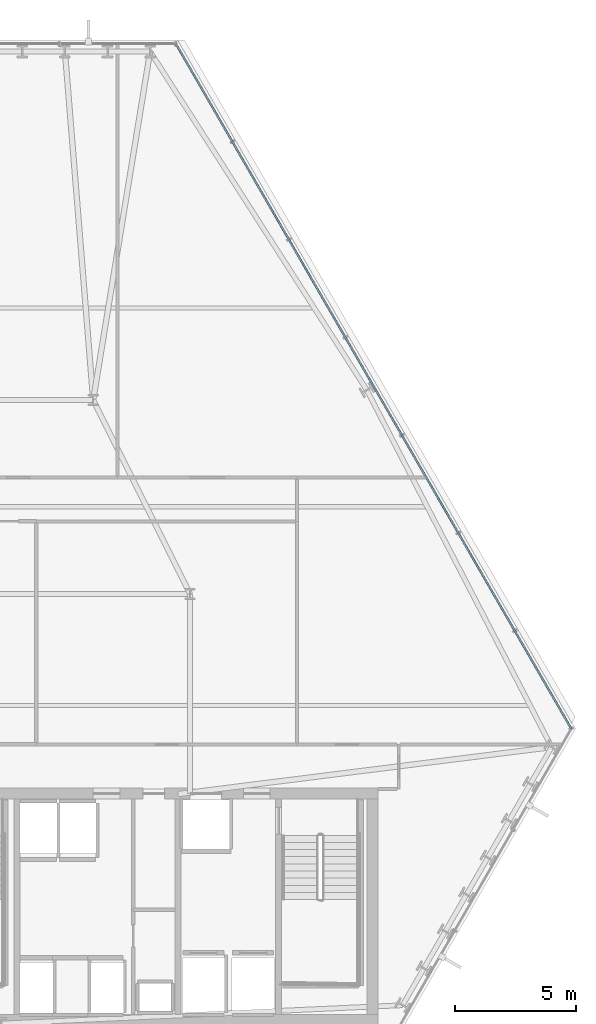
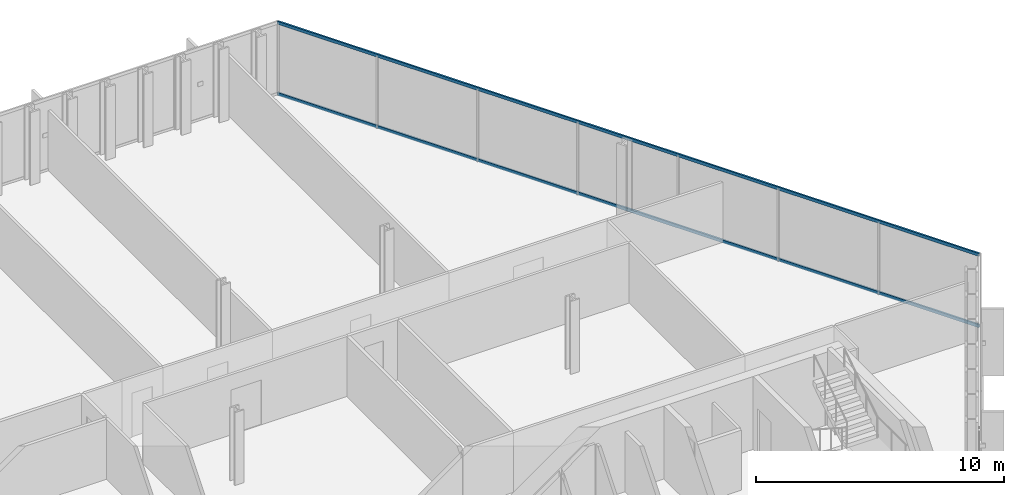
# One storey, part 20 of 33: 2 members, 1 element without a shape of its own.
"""IFC4 building model written with IfcOpenShell, lengths in metres."""

from ifc_helpers import new_model, si_unit, direction, frame, origin, origin_2d, place, context, subcontext, project, spatial, hollow_rectangle, extrude, material, layer, layer_set, material_profile, profile_set, type_object, element, aggregate, save


model = new_model("IFC4")

# Units and contexts
model_context = context("Model", 3, precision=1e-05, world=origin(), true_north=direction((0.0, 1.0)))
body_context = subcontext(model_context, "Body", "Model", "MODEL_VIEW")
ifc_project = project(units=[si_unit("LENGTHUNIT", "METRE"), si_unit("AREAUNIT", "SQUARE_METRE"), si_unit("VOLUMEUNIT", "CUBIC_METRE"), si_unit("PLANEANGLEUNIT", "RADIAN"), si_unit("MASSUNIT", "GRAM", prefix="KILO")], contexts=[model_context])

# Site, building, storey
site_placement = place(None, origin())
site = spatial("IfcSite", under=ifc_project, at=site_placement, CompositionType="ELEMENT")
building_placement = place(site_placement, origin())
building = spatial("IfcBuilding", under=site, at=building_placement, Name="Ndaravel Arena Tower", CompositionType="ELEMENT")
storey_placement = place(building_placement, frame((0.0, 0.0, 81.60009765625)))
storey = spatial("IfcBuildingStorey", under=building, at=storey_placement, Name="L18", CompositionType="ELEMENT", Elevation=81.60009765625)

# Curtain wall, members
ifc_material_1 = material(Name="Aluminium", Category="aluminium")
ifc_layer = layer(ifc_material_1, 0.179931640625)
ifc_layer_set = layer_set([ifc_layer], Name="Aluminium")
curtain_wall_type = type_object("IfcCurtainWallType", Name="CW-SYS-03", PredefinedType="NOTDEFINED", material=ifc_layer_set)
curtain_wall_placement = place(storey_placement, origin())
curtain_wall = element("IfcCurtainWall", 1, at=curtain_wall_placement, inside=storey, type_object=curtain_wall_type, Name="L18 Faceted Crystal Curtain Wall CW-L18-E03", PredefinedType="NOTDEFINED")
ifc_material_2 = material(Name="Aluminium", Category="aluminium")
ifc_material_profile = material_profile(ifc_material_2, hollow_rectangle(XDim=0.074951171875, YDim=0.14990234375, WallThickness=0.00390625, at=origin_2d()), Name="CW TRANSOM 75x150x4")
ifc_profile_set = profile_set([ifc_material_profile], Name="Aluminium")
member_type = type_object("IfcMemberType", Name="MEM-CW-TRN150", PredefinedType="USERDEFINED", material=ifc_profile_set)
member_1_placement = place(storey_placement, frame((65.518798828125, 17.64794921875, 0.039794921875), z_axis=(-0.499995870901, 0.866027787708, 0.0), x_axis=(-0.866027787708, -0.499995870901, 0.0)))
member_1 = element("IfcMember", 2, at=member_1_placement, type_object=member_type, Name="CW-L18-E03 Transom 01", ObjectType="TRANSOM", PredefinedType="USERDEFINED", context=body_context, shape_type="SweptSolid", body=[
    extrude(hollow_rectangle(XDim=0.074951171875, YDim=0.14990234375, WallThickness=0.00390625, at=origin_2d()), origin(), (0.0, 0.0, 1.0), 32.617919921875),
])
member_2_placement = place(storey_placement, frame((65.518798828125, 17.64794921875, 3.539794921875), z_axis=(-0.499995870901, 0.866027787708, 0.0), x_axis=(-0.866027787708, -0.499995870901, 0.0)))
member_2 = element("IfcMember", 3, at=member_2_placement, type_object=member_type, Name="CW-L18-E03 Transom 02", ObjectType="TRANSOM", PredefinedType="USERDEFINED", context=body_context, shape_type="SweptSolid", body=[
    extrude(hollow_rectangle(XDim=0.074951171875, YDim=0.14990234375, WallThickness=0.00390625, at=origin_2d()), origin(), (0.0, 0.0, 1.0), 32.617919921875),
])
aggregate(curtain_wall, [member_1, member_2])

save(model, "model.ifc")
